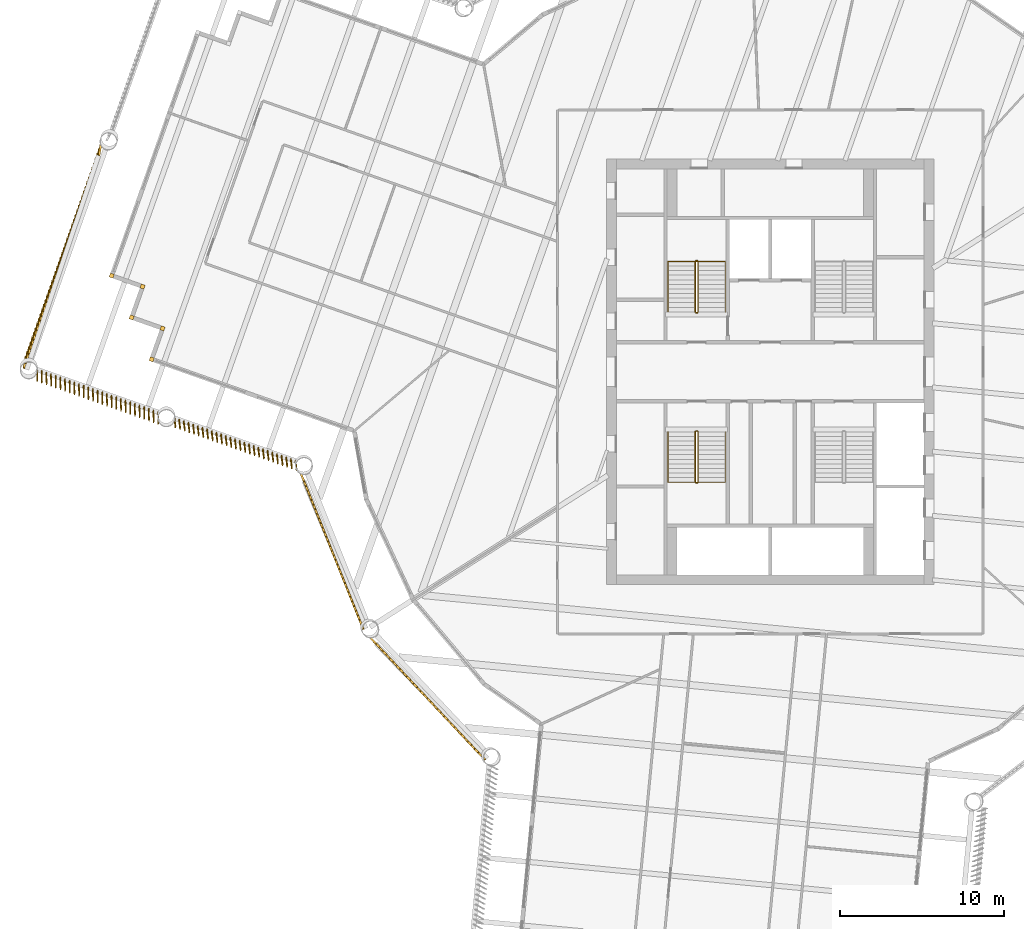
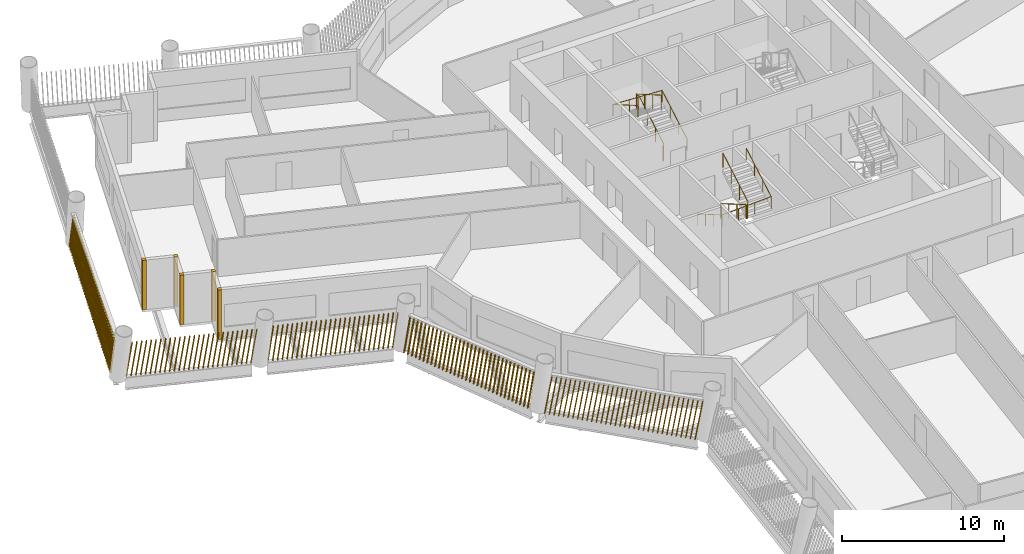
# One storey, part 12 of 15: 10 shading devices, 4 railings.
"""IFC4 building model written with IfcOpenShell, lengths in metres."""

from ifc_helpers import new_model, si_unit, direction, frame, frame_2d, origin, origin_2d, place, context, subcontext, project, spatial, rectangle, circle, composite_profile, extrude, material, type_object, element, save


model = new_model("IFC4")

# Units and contexts
model_context = context("Model", 3, precision=1e-05, world=origin(), true_north=direction((0.0, 1.0)))
body_context = subcontext(model_context, "Body", "Model", "MODEL_VIEW")
ifc_project = project(units=[si_unit("LENGTHUNIT", "METRE"), si_unit("AREAUNIT", "SQUARE_METRE"), si_unit("VOLUMEUNIT", "CUBIC_METRE"), si_unit("PLANEANGLEUNIT", "RADIAN"), si_unit("MASSUNIT", "GRAM", prefix="KILO")], contexts=[model_context])

# Site, building, storey
site_placement = place(None, origin())
site = spatial("IfcSite", under=ifc_project, at=site_placement, CompositionType="ELEMENT")
building_placement = place(site_placement, origin())
building = spatial("IfcBuilding", under=site, at=building_placement, Name="Tarsis Ring Headquarters", CompositionType="ELEMENT")
storey_placement = place(building_placement, frame((0.0, 0.0, 204.300048828125)))
storey = spatial("IfcBuildingStorey", under=building, at=storey_placement, Name="L47", CompositionType="ELEMENT", Elevation=204.300048828125)

# Railings
ifc_material_1 = material(Name="Steel S355", Category="steel")
railing_type_1 = type_object("IfcRailingType", Name="Core stair guard 1100", PredefinedType="GUARDRAIL", material=ifc_material_1)
railing_1_placement = place(storey_placement, frame((-4.5400390625, 3.610107421875, 0.0)))
element("IfcRailing", 1, at=railing_1_placement, inside=storey, type_object=railing_type_1, Name="L47 ST1 stair guard 1", PredefinedType="GUARDRAIL", context=body_context, shape_type="SweptSolid", body=[
    extrude(circle(Radius=0.02392578125, at=origin_2d()), frame((0.0, 0.0, 1.076171875), z_axis=(1.0, 0.0, 0.0), x_axis=(0.0, 1.0, 0.0)), (0.0, 0.0, 1.0), 0.080078125),
    extrude(circle(Radius=0.02392578125, at=origin_2d()), frame((0.080078125, 0.0, 1.076171875), z_axis=(0.282693820306, 0.281314826061, 0.917031173188), x_axis=(-0.705375805398, 0.708833529934, 0.0)), (0.0, 0.0, 1.0), 0.177001953125),
    extrude(circle(Radius=0.02392578125, at=origin_2d()), frame((0.130126953125, 0.0498046875, 1.23828125), z_axis=(0.0, 0.864890721111, 0.501960198159), x_axis=(-1.0, 0.0, 0.0)), (0.0, 0.0, 1.0), 3.561279296875),
    extrude(circle(Radius=0.02392578125, at=origin_2d()), frame((0.130126953125, 3.1298828125, 3.02587890625), z_axis=(-0.707106781187, 0.707106781187, 0.0), x_axis=(-0.707106781187, -0.707106781187, 0.0)), (0.0, 0.0, 1.0), 0.07080078125),
    extrude(circle(Radius=0.02392578125, at=origin_2d()), frame((0.080078125, 3.179931640625, 3.02587890625), z_axis=(-1.0, 0.0, 0.0), x_axis=(0.0, -1.0, 0.0)), (0.0, 0.0, 1.0), 0.080078125),
    extrude(circle(Radius=0.02392578125, at=origin_2d()), frame((0.0, 3.179931640625, 3.02587890625), z_axis=(-0.282227285176, -0.282227285176, 0.916894497205), x_axis=(0.707106781187, -0.707106781187, 0.0)), (0.0, 0.0, 1.0), 0.17724609375),
    extrude(circle(Radius=0.02392578125, at=origin_2d()), frame((-0.050048828125, 3.1298828125, 3.1884765625), z_axis=(0.0, -0.864920483161, 0.501908913857), x_axis=(1.0, 0.0, 0.0)), (0.0, 0.0, 1.0), 3.56103515625),
    extrude(circle(Radius=0.02099609375, at=origin_2d()), origin(), (0.0, 0.0, 1.0), 1.052001953125),
    extrude(circle(Radius=0.02099609375, at=origin_2d()), frame((0.080078125, 0.0, 0.0)), (0.0, 0.0, 1.0), 1.052001953125),
    extrude(circle(Radius=0.02099609375, at=origin_2d()), frame((0.130126953125, 0.0498046875, 0.162353515625)), (0.0, 0.0, 1.0), 1.052001953125),
    extrude(circle(Radius=0.02099609375, at=origin_2d()), frame((0.130126953125, 1.076416015625, 0.75830078125)), (0.0, 0.0, 1.0), 1.052001953125),
    extrude(circle(Radius=0.02099609375, at=origin_2d()), frame((0.130126953125, 2.103271484375, 1.35400390625)), (0.0, 0.0, 1.0), 1.052001953125),
    extrude(circle(Radius=0.02099609375, at=origin_2d()), frame((0.130126953125, 3.1298828125, 1.949951171875)), (0.0, 0.0, 1.0), 1.052001953125),
    extrude(circle(Radius=0.02099609375, at=origin_2d()), frame((0.080078125, 3.179931640625, 1.949951171875)), (0.0, 0.0, 1.0), 1.052001953125),
    extrude(circle(Radius=0.02099609375, at=origin_2d()), frame((0.0, 3.179931640625, 1.949951171875)), (0.0, 0.0, 1.0), 1.052001953125),
    extrude(circle(Radius=0.02099609375, at=origin_2d()), frame((-0.050048828125, 3.1298828125, 2.112548828125)), (0.0, 0.0, 1.0), 1.052001953125),
    extrude(circle(Radius=0.02099609375, at=origin_2d()), frame((-0.050048828125, 2.103271484375, 2.708251953125)), (0.0, 0.0, 1.0), 1.052001953125),
    extrude(circle(Radius=0.02099609375, at=origin_2d()), frame((-0.050048828125, 1.076416015625, 3.30419921875)), (0.0, 0.0, 1.0), 1.052001953125),
    extrude(circle(Radius=0.02099609375, at=origin_2d()), frame((-0.050048828125, 0.0498046875, 3.89990234375)), (0.0, 0.0, 1.0), 1.052001953125),
])
railing_2_placement = place(storey_placement, frame((-4.4599609375, -3.610107421875, 0.0)))
element("IfcRailing", 2, at=railing_2_placement, inside=storey, type_object=railing_type_1, Name="L47 ST3 stair guard 1", PredefinedType="GUARDRAIL", context=body_context, shape_type="SweptSolid", body=[
    extrude(circle(Radius=0.02392578125, at=origin_2d()), frame((0.0, 0.0, 1.076171875), z_axis=(-1.0, 0.0, 0.0), x_axis=(0.0, -1.0, 0.0)), (0.0, 0.0, 1.0), 0.080078125),
    extrude(circle(Radius=0.02392578125, at=origin_2d()), frame((-0.080078125, 0.0, 1.076171875), z_axis=(-0.282693820306, -0.281314826061, 0.917031173188), x_axis=(0.705375805398, -0.708833529934, 0.0)), (0.0, 0.0, 1.0), 0.177001953125),
    extrude(circle(Radius=0.02392578125, at=origin_2d()), frame((-0.130126953125, -0.0498046875, 1.23828125), z_axis=(0.0, -0.864890721111, 0.501960198159), x_axis=(1.0, 0.0, 0.0)), (0.0, 0.0, 1.0), 3.561279296875),
    extrude(circle(Radius=0.02392578125, at=origin_2d()), frame((-0.130126953125, -3.1298828125, 3.02587890625), z_axis=(0.707106781187, -0.707106781187, 0.0), x_axis=(0.707106781187, 0.707106781187, 0.0)), (0.0, 0.0, 1.0), 0.07080078125),
    extrude(circle(Radius=0.02392578125, at=origin_2d()), frame((-0.080078125, -3.179931640625, 3.02587890625), z_axis=(1.0, 0.0, 0.0), x_axis=(0.0, 1.0, 0.0)), (0.0, 0.0, 1.0), 0.080078125),
    extrude(circle(Radius=0.02392578125, at=origin_2d()), frame((0.0, -3.179931640625, 3.02587890625), z_axis=(0.282227285176, 0.282227285176, 0.916894497205), x_axis=(-0.707106781187, 0.707106781187, 0.0)), (0.0, 0.0, 1.0), 0.17724609375),
    extrude(circle(Radius=0.02392578125, at=origin_2d()), frame((0.050048828125, -3.1298828125, 3.1884765625), z_axis=(0.0, 0.864920483161, 0.501908913857), x_axis=(-1.0, 0.0, 0.0)), (0.0, 0.0, 1.0), 3.56103515625),
    extrude(circle(Radius=0.02099609375, at=origin_2d()), origin(), (0.0, 0.0, 1.0), 1.052001953125),
    extrude(circle(Radius=0.02099609375, at=origin_2d()), frame((-0.080078125, 0.0, 0.0)), (0.0, 0.0, 1.0), 1.052001953125),
    extrude(circle(Radius=0.02099609375, at=origin_2d()), frame((-0.130126953125, -0.0498046875, 0.162353515625)), (0.0, 0.0, 1.0), 1.052001953125),
    extrude(circle(Radius=0.02099609375, at=origin_2d()), frame((-0.130126953125, -1.076416015625, 0.75830078125)), (0.0, 0.0, 1.0), 1.052001953125),
    extrude(circle(Radius=0.02099609375, at=origin_2d()), frame((-0.130126953125, -2.103271484375, 1.35400390625)), (0.0, 0.0, 1.0), 1.052001953125),
    extrude(circle(Radius=0.02099609375, at=origin_2d()), frame((-0.130126953125, -3.1298828125, 1.949951171875)), (0.0, 0.0, 1.0), 1.052001953125),
    extrude(circle(Radius=0.02099609375, at=origin_2d()), frame((-0.080078125, -3.179931640625, 1.949951171875)), (0.0, 0.0, 1.0), 1.052001953125),
    extrude(circle(Radius=0.02099609375, at=origin_2d()), frame((0.0, -3.179931640625, 1.949951171875)), (0.0, 0.0, 1.0), 1.052001953125),
    extrude(circle(Radius=0.02099609375, at=origin_2d()), frame((0.050048828125, -3.1298828125, 2.112548828125)), (0.0, 0.0, 1.0), 1.052001953125),
    extrude(circle(Radius=0.02099609375, at=origin_2d()), frame((0.050048828125, -2.103271484375, 2.708251953125)), (0.0, 0.0, 1.0), 1.052001953125),
    extrude(circle(Radius=0.02099609375, at=origin_2d()), frame((0.050048828125, -1.076416015625, 3.30419921875)), (0.0, 0.0, 1.0), 1.052001953125),
    extrude(circle(Radius=0.02099609375, at=origin_2d()), frame((0.050048828125, -0.0498046875, 3.89990234375)), (0.0, 0.0, 1.0), 1.052001953125),
])
railing_type_2 = type_object("IfcRailingType", Name="Core stair handrail 900", PredefinedType="HANDRAIL", material=ifc_material_1)
railing_3_placement = place(storey_placement, frame((-2.75, 3.659912109375, 0.162353515625)))
element("IfcRailing", 3, at=railing_3_placement, inside=storey, type_object=railing_type_2, Name="L47 ST1 stair handrail 1", PredefinedType="HANDRAIL", context=body_context, shape_type="SweptSolid", body=[
    extrude(circle(Radius=0.02392578125, at=origin_2d()), frame((0.0, 0.0, 0.8759765625), z_axis=(0.0, 0.864890721111, 0.501960198159), x_axis=(-1.0, 0.0, 0.0)), (0.0, 0.0, 1.0), 3.561279296875),
    extrude(circle(Radius=0.02392578125, at=origin_2d()), frame((0.0, 3.080078125, 2.66357421875), z_axis=(-0.998922641604, 0.0, 0.046406422943), x_axis=(0.0, -1.0, 0.0)), (0.0, 0.0, 1.0), 3.503662109375),
    extrude(circle(Radius=0.02392578125, at=origin_2d()), frame((-3.5, 3.080078125, 2.826171875), z_axis=(0.0, -0.864920483161, 0.501908913857), x_axis=(1.0, 0.0, 0.0)), (0.0, 0.0, 1.0), 3.56103515625),
    extrude(circle(Radius=0.02099609375, at=origin_2d()), origin(), (0.0, 0.0, 1.0), 0.851806640625),
    extrude(circle(Radius=0.02099609375, at=origin_2d()), frame((0.0, 1.026611328125, 0.595947265625)), (0.0, 0.0, 1.0), 0.851806640625),
    extrude(circle(Radius=0.02099609375, at=origin_2d()), frame((0.0, 2.053466796875, 1.191650390625)), (0.0, 0.0, 1.0), 0.851806640625),
    extrude(circle(Radius=0.02099609375, at=origin_2d()), frame((0.0, 3.080078125, 1.78759765625)), (0.0, 0.0, 1.0), 0.851806640625),
    extrude(circle(Radius=0.02099609375, at=origin_2d()), frame((-1.166748046875, 3.080078125, 1.841796875)), (0.0, 0.0, 1.0), 0.851806640625),
    extrude(circle(Radius=0.02099609375, at=origin_2d()), frame((-2.333251953125, 3.080078125, 1.89599609375)), (0.0, 0.0, 1.0), 0.851806640625),
    extrude(circle(Radius=0.02099609375, at=origin_2d()), frame((-3.5, 3.080078125, 1.9501953125)), (0.0, 0.0, 1.0), 0.851806640625),
    extrude(circle(Radius=0.02099609375, at=origin_2d()), frame((-3.5, 2.053466796875, 2.5458984375)), (0.0, 0.0, 1.0), 0.851806640625),
    extrude(circle(Radius=0.02099609375, at=origin_2d()), frame((-3.5, 1.026611328125, 3.141845703125)), (0.0, 0.0, 1.0), 0.851806640625),
    extrude(circle(Radius=0.02099609375, at=origin_2d()), frame((-3.5, 0.0, 3.737548828125)), (0.0, 0.0, 1.0), 0.851806640625),
])
railing_4_placement = place(storey_placement, frame((-6.25, -3.659912109375, 0.162353515625)))
element("IfcRailing", 4, at=railing_4_placement, inside=storey, type_object=railing_type_2, Name="L47 ST3 stair handrail 1", PredefinedType="HANDRAIL", context=body_context, shape_type="SweptSolid", body=[
    extrude(circle(Radius=0.02392578125, at=origin_2d()), frame((0.0, 0.0, 0.8759765625), z_axis=(0.0, -0.864890721111, 0.501960198159), x_axis=(1.0, 0.0, 0.0)), (0.0, 0.0, 1.0), 3.561279296875),
    extrude(circle(Radius=0.02392578125, at=origin_2d()), frame((0.0, -3.080078125, 2.66357421875), z_axis=(0.998922641604, 0.0, 0.046406422943), x_axis=(0.0, 1.0, 0.0)), (0.0, 0.0, 1.0), 3.503662109375),
    extrude(circle(Radius=0.02392578125, at=origin_2d()), frame((3.5, -3.080078125, 2.826171875), z_axis=(0.0, 0.864920483161, 0.501908913857), x_axis=(-1.0, 0.0, 0.0)), (0.0, 0.0, 1.0), 3.56103515625),
    extrude(circle(Radius=0.02099609375, at=origin_2d()), origin(), (0.0, 0.0, 1.0), 0.851806640625),
    extrude(circle(Radius=0.02099609375, at=origin_2d()), frame((0.0, -1.026611328125, 0.595947265625)), (0.0, 0.0, 1.0), 0.851806640625),
    extrude(circle(Radius=0.02099609375, at=origin_2d()), frame((0.0, -2.053466796875, 1.191650390625)), (0.0, 0.0, 1.0), 0.851806640625),
    extrude(circle(Radius=0.02099609375, at=origin_2d()), frame((0.0, -3.080078125, 1.78759765625)), (0.0, 0.0, 1.0), 0.851806640625),
    extrude(circle(Radius=0.02099609375, at=origin_2d()), frame((1.166748046875, -3.080078125, 1.841796875)), (0.0, 0.0, 1.0), 0.851806640625),
    extrude(circle(Radius=0.02099609375, at=origin_2d()), frame((2.333251953125, -3.080078125, 1.89599609375)), (0.0, 0.0, 1.0), 0.851806640625),
    extrude(circle(Radius=0.02099609375, at=origin_2d()), frame((3.5, -3.080078125, 1.9501953125)), (0.0, 0.0, 1.0), 0.851806640625),
    extrude(circle(Radius=0.02099609375, at=origin_2d()), frame((3.5, -2.053466796875, 2.5458984375)), (0.0, 0.0, 1.0), 0.851806640625),
    extrude(circle(Radius=0.02099609375, at=origin_2d()), frame((3.5, -1.026611328125, 3.141845703125)), (0.0, 0.0, 1.0), 0.851806640625),
    extrude(circle(Radius=0.02099609375, at=origin_2d()), frame((3.5, 0.0, 3.737548828125)), (0.0, 0.0, 1.0), 0.851806640625),
])

# Shading devices
ifc_material_2 = material(Name="Terracotta baguette", Category="masonry")
shading_device_type_1 = type_object("IfcShadingDeviceType", Name="Terracotta baguette screen", PredefinedType="USERDEFINED", material=ifc_material_2)
shading_device_1_placement = place(storey_placement, frame((-24.4248046875, -16.237548828125, 0.0), z_axis=(0.0, 0.0, 1.0), x_axis=(0.684614231461, -0.728912652409, 0.0)))
element("IfcShadingDevice", 5, at=shading_device_1_placement, inside=storey, type_object=shading_device_type_1, Name="Baguette screen L47-00", ObjectType="Terracotta baguette screen", PredefinedType="USERDEFINED", context=body_context, shape_type="SweptSolid", body=[
    extrude(composite_profile([rectangle(XDim=0.06005859375, YDim=0.1201171875, at=frame_2d((0.030029296875, 0.0))), rectangle(XDim=0.06005859375, YDim=0.1201171875, at=frame_2d((0.33349609375, 0.0))), rectangle(XDim=0.06005859375, YDim=0.1201171875, at=frame_2d((0.636962890625, 0.0))), rectangle(XDim=0.06005859375, YDim=0.1201171875, at=frame_2d((0.9404296875, 0.0))), rectangle(XDim=0.06005859375, YDim=0.1201171875, at=frame_2d((1.243896484375, 0.0))), rectangle(XDim=0.06005859375, YDim=0.1201171875, at=frame_2d((1.54736328125, 0.0))), rectangle(XDim=0.06005859375, YDim=0.1201171875, at=frame_2d((1.850830078125, 0.0))), rectangle(XDim=0.06005859375, YDim=0.1201171875, at=frame_2d((2.154296875, 0.0))), rectangle(XDim=0.06005859375, YDim=0.1201171875, at=frame_2d((2.4580078125, 0.0))), rectangle(XDim=0.06005859375, YDim=0.1201171875, at=frame_2d((2.761474609375, 0.0))), rectangle(XDim=0.06005859375, YDim=0.1201171875, at=frame_2d((3.06494140625, 0.0))), rectangle(XDim=0.06005859375, YDim=0.1201171875, at=frame_2d((3.368408203125, 0.0))), rectangle(XDim=0.06005859375, YDim=0.1201171875, at=frame_2d((3.671875, 0.0))), rectangle(XDim=0.06005859375, YDim=0.1201171875, at=frame_2d((3.975341796875, 0.0))), rectangle(XDim=0.06005859375, YDim=0.1201171875, at=frame_2d((4.27880859375, 0.0))), rectangle(XDim=0.06005859375, YDim=0.1201171875, at=frame_2d((4.582275390625, 0.0))), rectangle(XDim=0.06005859375, YDim=0.1201171875, at=frame_2d((4.8857421875, 0.0))), rectangle(XDim=0.06005859375, YDim=0.1201171875, at=frame_2d((5.189208984375, 0.0))), rectangle(XDim=0.06005859375, YDim=0.1201171875, at=frame_2d((5.49267578125, 0.0))), rectangle(XDim=0.06005859375, YDim=0.1201171875, at=frame_2d((5.796142578125, 0.0))), rectangle(XDim=0.06005859375, YDim=0.1201171875, at=frame_2d((6.099609375, 0.0))), rectangle(XDim=0.06005859375, YDim=0.1201171875, at=frame_2d((6.403076171875, 0.0))), rectangle(XDim=0.06005859375, YDim=0.1201171875, at=frame_2d((6.70654296875, 0.0))), rectangle(XDim=0.06005859375, YDim=0.1201171875, at=frame_2d((7.010009765625, 0.0))), rectangle(XDim=0.06005859375, YDim=0.1201171875, at=frame_2d((7.3134765625, 0.0))), rectangle(XDim=0.06005859375, YDim=0.1201171875, at=frame_2d((7.6171875, 0.0))), rectangle(XDim=0.06005859375, YDim=0.1201171875, at=frame_2d((7.920654296875, 0.0))), rectangle(XDim=0.06005859375, YDim=0.1201171875, at=frame_2d((8.22412109375, 0.0))), rectangle(XDim=0.06005859375, YDim=0.1201171875, at=frame_2d((8.527587890625, 0.0))), rectangle(XDim=0.06005859375, YDim=0.1201171875, at=frame_2d((8.8310546875, 0.0))), rectangle(XDim=0.06005859375, YDim=0.1201171875, at=frame_2d((9.134521484375, 0.0))), rectangle(XDim=0.06005859375, YDim=0.1201171875, at=frame_2d((9.43798828125, 0.0))), rectangle(XDim=0.06005859375, YDim=0.1201171875, at=frame_2d((9.741455078125, 0.0)))]), origin(), (0.162080376701, 0.001357885624, 0.986776624994), 2.989501953125),
])
shading_device_2_placement = place(storey_placement, frame((-40.870361328125, 13.926513671875, 0.0), z_axis=(0.0, 0.0, 1.0), x_axis=(-0.333480760725, -0.942750995135, 0.0)))
element("IfcShadingDevice", 6, at=shading_device_2_placement, inside=storey, type_object=shading_device_type_1, Name="Baguette screen L47-18", ObjectType="Terracotta baguette screen", PredefinedType="USERDEFINED", context=body_context, shape_type="SweptSolid", body=[
    extrude(composite_profile([rectangle(XDim=0.06005859375, YDim=0.1201171875, at=frame_2d((0.030029296875, 0.0))), rectangle(XDim=0.06005859375, YDim=0.1201171875, at=frame_2d((0.33544921875, 0.0))), rectangle(XDim=0.06005859375, YDim=0.1201171875, at=frame_2d((0.640625, 0.0))), rectangle(XDim=0.06005859375, YDim=0.1201171875, at=frame_2d((0.946044921875, 0.0))), rectangle(XDim=0.06005859375, YDim=0.1201171875, at=frame_2d((1.25146484375, 0.0))), rectangle(XDim=0.06005859375, YDim=0.1201171875, at=frame_2d((1.556640625, 0.0))), rectangle(XDim=0.06005859375, YDim=0.1201171875, at=frame_2d((1.862060546875, 0.0))), rectangle(XDim=0.06005859375, YDim=0.1201171875, at=frame_2d((2.16748046875, 0.0))), rectangle(XDim=0.06005859375, YDim=0.1201171875, at=frame_2d((2.47265625, 0.0))), rectangle(XDim=0.06005859375, YDim=0.1201171875, at=frame_2d((2.778076171875, 0.0))), rectangle(XDim=0.06005859375, YDim=0.1201171875, at=frame_2d((3.08349609375, 0.0))), rectangle(XDim=0.06005859375, YDim=0.1201171875, at=frame_2d((3.388671875, 0.0))), rectangle(XDim=0.06005859375, YDim=0.1201171875, at=frame_2d((3.694091796875, 0.0))), rectangle(XDim=0.06005859375, YDim=0.1201171875, at=frame_2d((3.99951171875, 0.0))), rectangle(XDim=0.06005859375, YDim=0.1201171875, at=frame_2d((4.3046875, 0.0))), rectangle(XDim=0.06005859375, YDim=0.1201171875, at=frame_2d((4.610107421875, 0.0))), rectangle(XDim=0.06005859375, YDim=0.1201171875, at=frame_2d((4.91552734375, 0.0))), rectangle(XDim=0.06005859375, YDim=0.1201171875, at=frame_2d((5.220703125, 0.0))), rectangle(XDim=0.06005859375, YDim=0.1201171875, at=frame_2d((5.526123046875, 0.0))), rectangle(XDim=0.06005859375, YDim=0.1201171875, at=frame_2d((5.83154296875, 0.0))), rectangle(XDim=0.06005859375, YDim=0.1201171875, at=frame_2d((6.13671875, 0.0))), rectangle(XDim=0.06005859375, YDim=0.1201171875, at=frame_2d((6.442138671875, 0.0))), rectangle(XDim=0.06005859375, YDim=0.1201171875, at=frame_2d((6.74755859375, 0.0))), rectangle(XDim=0.06005859375, YDim=0.1201171875, at=frame_2d((7.052734375, 0.0))), rectangle(XDim=0.06005859375, YDim=0.1201171875, at=frame_2d((7.358154296875, 0.0))), rectangle(XDim=0.06005859375, YDim=0.1201171875, at=frame_2d((7.66357421875, 0.0))), rectangle(XDim=0.06005859375, YDim=0.1201171875, at=frame_2d((7.96875, 0.0))), rectangle(XDim=0.06005859375, YDim=0.1201171875, at=frame_2d((8.274169921875, 0.0))), rectangle(XDim=0.06005859375, YDim=0.1201171875, at=frame_2d((8.57958984375, 0.0))), rectangle(XDim=0.06005859375, YDim=0.1201171875, at=frame_2d((8.884765625, 0.0))), rectangle(XDim=0.06005859375, YDim=0.1201171875, at=frame_2d((9.190185546875, 0.0))), rectangle(XDim=0.06005859375, YDim=0.1201171875, at=frame_2d((9.49560546875, 0.0))), rectangle(XDim=0.06005859375, YDim=0.1201171875, at=frame_2d((9.80078125, 0.0))), rectangle(XDim=0.06005859375, YDim=0.1201171875, at=frame_2d((10.106201171875, 0.0))), rectangle(XDim=0.06005859375, YDim=0.1201171875, at=frame_2d((10.41162109375, 0.0))), rectangle(XDim=0.06005859375, YDim=0.1201171875, at=frame_2d((10.716796875, 0.0))), rectangle(XDim=0.06005859375, YDim=0.1201171875, at=frame_2d((11.022216796875, 0.0))), rectangle(XDim=0.06005859375, YDim=0.1201171875, at=frame_2d((11.32763671875, 0.0))), rectangle(XDim=0.06005859375, YDim=0.1201171875, at=frame_2d((11.6328125, 0.0))), rectangle(XDim=0.06005859375, YDim=0.1201171875, at=frame_2d((11.938232421875, 0.0))), rectangle(XDim=0.06005859375, YDim=0.1201171875, at=frame_2d((12.24365234375, 0.0))), rectangle(XDim=0.06005859375, YDim=0.1201171875, at=frame_2d((12.548828125, 0.0))), rectangle(XDim=0.06005859375, YDim=0.1201171875, at=frame_2d((12.854248046875, 0.0))), rectangle(XDim=0.06005859375, YDim=0.1201171875, at=frame_2d((13.15966796875, 0.0))), rectangle(XDim=0.06005859375, YDim=0.1201171875, at=frame_2d((13.46484375, 0.0))), rectangle(XDim=0.06005859375, YDim=0.1201171875, at=frame_2d((13.770263671875, 0.0)))]), origin(), (0.237616756275, 0.04277975042, 0.970416493106), 3.039794921875),
])
shading_device_3_placement = place(storey_placement, frame((-44.814208984375, 0.1533203125, 0.0), z_axis=(0.0, 0.0, 1.0), x_axis=(0.94275210084, -0.333477508651, 0.0)))
element("IfcShadingDevice", 7, at=shading_device_3_placement, inside=storey, type_object=shading_device_type_1, Name="Baguette screen L47-19", ObjectType="Terracotta baguette screen", PredefinedType="USERDEFINED", context=body_context, shape_type="SweptSolid", body=[
    extrude(composite_profile([rectangle(XDim=0.06005859375, YDim=0.1201171875, at=frame_2d((0.030029296875, 0.0))), rectangle(XDim=0.06005859375, YDim=0.1201171875, at=frame_2d((0.33154296875, 0.0))), rectangle(XDim=0.06005859375, YDim=0.1201171875, at=frame_2d((0.63330078125, 0.0))), rectangle(XDim=0.06005859375, YDim=0.1201171875, at=frame_2d((0.934814453125, 0.0))), rectangle(XDim=0.06005859375, YDim=0.1201171875, at=frame_2d((1.236572265625, 0.0))), rectangle(XDim=0.06005859375, YDim=0.1201171875, at=frame_2d((1.5380859375, 0.0))), rectangle(XDim=0.06005859375, YDim=0.1201171875, at=frame_2d((1.83984375, 0.0))), rectangle(XDim=0.06005859375, YDim=0.1201171875, at=frame_2d((2.141357421875, 0.0))), rectangle(XDim=0.06005859375, YDim=0.1201171875, at=frame_2d((2.443115234375, 0.0))), rectangle(XDim=0.06005859375, YDim=0.1201171875, at=frame_2d((2.74462890625, 0.0))), rectangle(XDim=0.06005859375, YDim=0.1201171875, at=frame_2d((3.04638671875, 0.0))), rectangle(XDim=0.06005859375, YDim=0.1201171875, at=frame_2d((3.347900390625, 0.0))), rectangle(XDim=0.06005859375, YDim=0.1201171875, at=frame_2d((3.649658203125, 0.0))), rectangle(XDim=0.06005859375, YDim=0.1201171875, at=frame_2d((3.951171875, 0.0))), rectangle(XDim=0.06005859375, YDim=0.1201171875, at=frame_2d((4.252685546875, 0.0))), rectangle(XDim=0.06005859375, YDim=0.1201171875, at=frame_2d((4.554443359375, 0.0))), rectangle(XDim=0.06005859375, YDim=0.1201171875, at=frame_2d((4.85595703125, 0.0))), rectangle(XDim=0.06005859375, YDim=0.1201171875, at=frame_2d((5.15771484375, 0.0))), rectangle(XDim=0.06005859375, YDim=0.1201171875, at=frame_2d((5.459228515625, 0.0))), rectangle(XDim=0.06005859375, YDim=0.1201171875, at=frame_2d((5.760986328125, 0.0))), rectangle(XDim=0.06005859375, YDim=0.1201171875, at=frame_2d((6.0625, 0.0))), rectangle(XDim=0.06005859375, YDim=0.1201171875, at=frame_2d((6.3642578125, 0.0))), rectangle(XDim=0.06005859375, YDim=0.1201171875, at=frame_2d((6.665771484375, 0.0))), rectangle(XDim=0.06005859375, YDim=0.1201171875, at=frame_2d((6.967529296875, 0.0))), rectangle(XDim=0.06005859375, YDim=0.1201171875, at=frame_2d((7.26904296875, 0.0))), rectangle(XDim=0.06005859375, YDim=0.1201171875, at=frame_2d((7.57080078125, 0.0))), rectangle(XDim=0.06005859375, YDim=0.1201171875, at=frame_2d((7.872314453125, 0.0)))]), origin(), (0.083632794736, -0.211413131352, 0.973812119218), 3.029296875),
])
shading_device_4_placement = place(storey_placement, frame((-36.42138671875, -2.8154296875, 0.0), z_axis=(0.0, 0.0, 1.0), x_axis=(0.942750332128, -0.33348781166, 0.0)))
element("IfcShadingDevice", 8, at=shading_device_4_placement, inside=storey, type_object=shading_device_type_1, Name="Baguette screen L47-20", ObjectType="Terracotta baguette screen", PredefinedType="USERDEFINED", context=body_context, shape_type="SweptSolid", body=[
    extrude(composite_profile([rectangle(XDim=0.06005859375, YDim=0.1201171875, at=frame_2d((0.030029296875, 0.0))), rectangle(XDim=0.06005859375, YDim=0.1201171875, at=frame_2d((0.33154296875, 0.0))), rectangle(XDim=0.06005859375, YDim=0.1201171875, at=frame_2d((0.63330078125, 0.0))), rectangle(XDim=0.06005859375, YDim=0.1201171875, at=frame_2d((0.934814453125, 0.0))), rectangle(XDim=0.06005859375, YDim=0.1201171875, at=frame_2d((1.236572265625, 0.0))), rectangle(XDim=0.06005859375, YDim=0.1201171875, at=frame_2d((1.5380859375, 0.0))), rectangle(XDim=0.06005859375, YDim=0.1201171875, at=frame_2d((1.83984375, 0.0))), rectangle(XDim=0.06005859375, YDim=0.1201171875, at=frame_2d((2.141357421875, 0.0))), rectangle(XDim=0.06005859375, YDim=0.1201171875, at=frame_2d((2.443115234375, 0.0))), rectangle(XDim=0.06005859375, YDim=0.1201171875, at=frame_2d((2.74462890625, 0.0))), rectangle(XDim=0.06005859375, YDim=0.1201171875, at=frame_2d((3.04638671875, 0.0))), rectangle(XDim=0.06005859375, YDim=0.1201171875, at=frame_2d((3.347900390625, 0.0))), rectangle(XDim=0.06005859375, YDim=0.1201171875, at=frame_2d((3.649658203125, 0.0))), rectangle(XDim=0.06005859375, YDim=0.1201171875, at=frame_2d((3.951171875, 0.0))), rectangle(XDim=0.06005859375, YDim=0.1201171875, at=frame_2d((4.252685546875, 0.0))), rectangle(XDim=0.06005859375, YDim=0.1201171875, at=frame_2d((4.554443359375, 0.0))), rectangle(XDim=0.06005859375, YDim=0.1201171875, at=frame_2d((4.85595703125, 0.0))), rectangle(XDim=0.06005859375, YDim=0.1201171875, at=frame_2d((5.15771484375, 0.0))), rectangle(XDim=0.06005859375, YDim=0.1201171875, at=frame_2d((5.459228515625, 0.0))), rectangle(XDim=0.06005859375, YDim=0.1201171875, at=frame_2d((5.760986328125, 0.0))), rectangle(XDim=0.06005859375, YDim=0.1201171875, at=frame_2d((6.0625, 0.0))), rectangle(XDim=0.06005859375, YDim=0.1201171875, at=frame_2d((6.3642578125, 0.0))), rectangle(XDim=0.06005859375, YDim=0.1201171875, at=frame_2d((6.665771484375, 0.0))), rectangle(XDim=0.06005859375, YDim=0.1201171875, at=frame_2d((6.967529296875, 0.0))), rectangle(XDim=0.06005859375, YDim=0.1201171875, at=frame_2d((7.26904296875, 0.0))), rectangle(XDim=0.06005859375, YDim=0.1201171875, at=frame_2d((7.57080078125, 0.0))), rectangle(XDim=0.06005859375, YDim=0.1201171875, at=frame_2d((7.872314453125, 0.0)))]), origin(), (0.08400125298, -0.163694530409, 0.982928222309), 3.001220703125),
])
shading_device_5_placement = place(storey_placement, frame((-28.662353515625, -6.220947265625, 0.0), z_axis=(0.0, 0.0, 1.0), x_axis=(0.371933243392, -0.928246639684, 0.0)))
element("IfcShadingDevice", 9, at=shading_device_5_placement, inside=storey, type_object=shading_device_type_1, Name="Baguette screen L47-21", ObjectType="Terracotta baguette screen", PredefinedType="USERDEFINED", context=body_context, shape_type="SweptSolid", body=[
    extrude(composite_profile([rectangle(XDim=0.06005859375, YDim=0.1201171875, at=frame_2d((0.030029296875, 0.0))), rectangle(XDim=0.06005859375, YDim=0.1201171875, at=frame_2d((0.33349609375, 0.0))), rectangle(XDim=0.06005859375, YDim=0.1201171875, at=frame_2d((0.636962890625, 0.0))), rectangle(XDim=0.06005859375, YDim=0.1201171875, at=frame_2d((0.9404296875, 0.0))), rectangle(XDim=0.06005859375, YDim=0.1201171875, at=frame_2d((1.243896484375, 0.0))), rectangle(XDim=0.06005859375, YDim=0.1201171875, at=frame_2d((1.54736328125, 0.0))), rectangle(XDim=0.06005859375, YDim=0.1201171875, at=frame_2d((1.85107421875, 0.0))), rectangle(XDim=0.06005859375, YDim=0.1201171875, at=frame_2d((2.154541015625, 0.0))), rectangle(XDim=0.06005859375, YDim=0.1201171875, at=frame_2d((2.4580078125, 0.0))), rectangle(XDim=0.06005859375, YDim=0.1201171875, at=frame_2d((2.761474609375, 0.0))), rectangle(XDim=0.06005859375, YDim=0.1201171875, at=frame_2d((3.06494140625, 0.0))), rectangle(XDim=0.06005859375, YDim=0.1201171875, at=frame_2d((3.368408203125, 0.0))), rectangle(XDim=0.06005859375, YDim=0.1201171875, at=frame_2d((3.671875, 0.0))), rectangle(XDim=0.06005859375, YDim=0.1201171875, at=frame_2d((3.975341796875, 0.0))), rectangle(XDim=0.06005859375, YDim=0.1201171875, at=frame_2d((4.27880859375, 0.0))), rectangle(XDim=0.06005859375, YDim=0.1201171875, at=frame_2d((4.582275390625, 0.0))), rectangle(XDim=0.06005859375, YDim=0.1201171875, at=frame_2d((4.8857421875, 0.0))), rectangle(XDim=0.06005859375, YDim=0.1201171875, at=frame_2d((5.189453125, 0.0))), rectangle(XDim=0.06005859375, YDim=0.1201171875, at=frame_2d((5.492919921875, 0.0))), rectangle(XDim=0.06005859375, YDim=0.1201171875, at=frame_2d((5.79638671875, 0.0))), rectangle(XDim=0.06005859375, YDim=0.1201171875, at=frame_2d((6.099853515625, 0.0))), rectangle(XDim=0.06005859375, YDim=0.1201171875, at=frame_2d((6.4033203125, 0.0))), rectangle(XDim=0.06005859375, YDim=0.1201171875, at=frame_2d((6.706787109375, 0.0))), rectangle(XDim=0.06005859375, YDim=0.1201171875, at=frame_2d((7.01025390625, 0.0))), rectangle(XDim=0.06005859375, YDim=0.1201171875, at=frame_2d((7.313720703125, 0.0))), rectangle(XDim=0.06005859375, YDim=0.1201171875, at=frame_2d((7.6171875, 0.0))), rectangle(XDim=0.06005859375, YDim=0.1201171875, at=frame_2d((7.920654296875, 0.0))), rectangle(XDim=0.06005859375, YDim=0.1201171875, at=frame_2d((8.224365234375, 0.0))), rectangle(XDim=0.06005859375, YDim=0.1201171875, at=frame_2d((8.52783203125, 0.0))), rectangle(XDim=0.06005859375, YDim=0.1201171875, at=frame_2d((8.831298828125, 0.0))), rectangle(XDim=0.06005859375, YDim=0.1201171875, at=frame_2d((9.134765625, 0.0))), rectangle(XDim=0.06005859375, YDim=0.1201171875, at=frame_2d((9.438232421875, 0.0))), rectangle(XDim=0.06005859375, YDim=0.1201171875, at=frame_2d((9.74169921875, 0.0)))]), origin(), (0.162078068671, 0.001357508628, 0.98677700461), 2.989501953125),
])
shading_device_type_2 = type_object("IfcShadingDeviceType", Name="Terracotta corner baguette 250x250", PredefinedType="USERDEFINED", material=ifc_material_2)
for number, where, z_axis, x_axis, name in (
    (10, (-37.781494140625, 0.768310546875, 0.0), (0.0, 0.0, 1.0), (-0.333477959492, -0.942757896033, 0.0), "Corner baguette L47-01"),
    (11, (-40.218505859375, 5.873291015625, 0.0), (0.0, 0.0, 1.0), (-0.333477762042, -0.942757965877, 0.0), "Corner baguette L47-37"),
    (12, (-38.3330078125, 5.206298828125, 0.0), (0.0, 0.0, 1.0), (0.942757994978, -0.33347767977, 0.0), "Corner baguette L47-38"),
    (13, (-39.0, 3.32080078125, 0.0), (0.0, 0.0, 1.0), (-0.333477959492, -0.942757896033, 0.0), "Corner baguette L47-39"),
    (14, (-37.114501953125, 2.65380859375, 0.0), (0.0, 0.0, 1.0), (0.942757948416, -0.333477811404, 0.0), "Corner baguette L47-40"),
):
    element("IfcShadingDevice", number, at=place(storey_placement, frame(where, z_axis=z_axis, x_axis=x_axis)), inside=storey, type_object=shading_device_type_2, Name=name, ObjectType="Terracotta corner baguette", PredefinedType="USERDEFINED", context=body_context, shape_type="SweptSolid", body=[
        extrude(rectangle(XDim=0.25, YDim=0.25, at=origin_2d()), origin(), (0.0, 0.0, 1.0), 3.739990234375),
    ])

save(model, "model.ifc")
